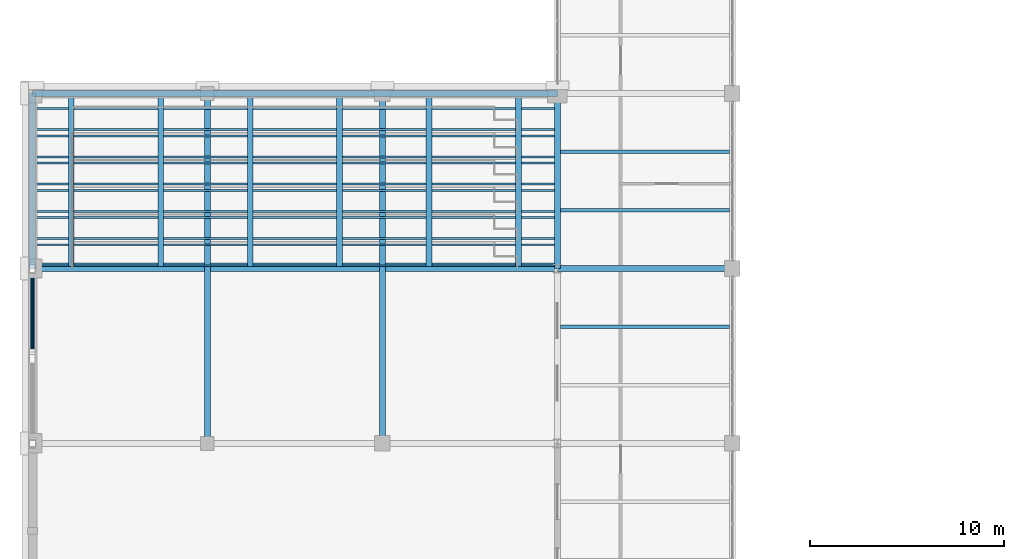
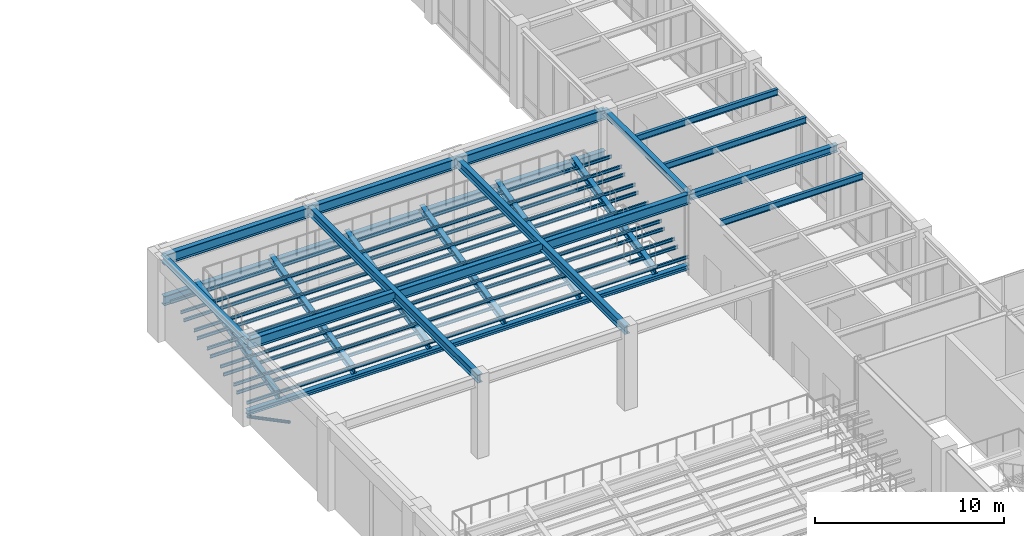
# One storey, part 21 of 77: 30 beams, 1 member.
"""IFC4 building model written with IfcOpenShell, lengths in metres."""

from ifc_helpers import new_model, si_unit, direction, frame, origin, origin_2d, place, context, subcontext, project, spatial, hollow_circle, i_section, extrude, material, material_profile, profile_set, type_object, element, save


model = new_model("IFC4")

# Units and contexts
model_context = context("Model", 3, precision=1e-05, world=origin(), true_north=direction((0.0, 1.0)))
body_context = subcontext(model_context, "Body", "Model", "MODEL_VIEW")
ifc_project = project(units=[si_unit("LENGTHUNIT", "METRE"), si_unit("AREAUNIT", "SQUARE_METRE"), si_unit("VOLUMEUNIT", "CUBIC_METRE"), si_unit("PLANEANGLEUNIT", "RADIAN"), si_unit("MASSUNIT", "GRAM", prefix="KILO")], contexts=[model_context])

# Site, building, storey
site_placement = place(None, origin())
site = spatial("IfcSite", under=ifc_project, at=site_placement, CompositionType="ELEMENT")
building_placement = place(site_placement, origin())
building = spatial("IfcBuilding", under=site, at=building_placement, Name="Lykobir Media Centre", CompositionType="ELEMENT")
storey_placement = place(building_placement, origin())
storey = spatial("IfcBuildingStorey", under=building, at=storey_placement, Name="L00", CompositionType="ELEMENT", Elevation=0.0)

# Beams
ifc_material = material(Name="Steel S355", Category="steel")
ifc_material_profile_1 = material_profile(ifc_material, i_section(OverallWidth=0.300048828125, OverallDepth=0.2900390625, WebThickness=0.008544921875, FlangeThickness=0.013916015625, at=origin_2d()), Name="HEA 300")
ifc_profile_set_1 = profile_set([ifc_material_profile_1], Name="Steel S355")
beam_type_1 = type_object("IfcBeamType", Name="BM-HEA300", PredefinedType="BEAM", material=ifc_profile_set_1)
beam_1_placement = place(storey_placement, frame((0.0, 36.139892578125, 0.326904296875), z_axis=(1.0, 0.0, 0.0), x_axis=(0.0, 1.0, 0.0)))
element("IfcBeam", 1, at=beam_1_placement, inside=storey, type_object=beam_type_1, Name="Beam BM-L00-0000-0361-0270-0361-33", PredefinedType="BEAM", context=body_context, shape_type="SweptSolid", body=[
    extrude(i_section(OverallWidth=0.300048828125, OverallDepth=0.2900390625, WebThickness=0.008544921875, FlangeThickness=0.013916015625, at=origin_2d()), origin(), (0.0, 0.0, 1.0), 27.0),
])
ifc_material_profile_2 = material_profile(ifc_material, i_section(OverallWidth=0.300048828125, OverallDepth=0.43994140625, WebThickness=0.011474609375, FlangeThickness=0.02099609375, at=origin_2d()), Name="HEA 450")
ifc_profile_set_2 = profile_set([ifc_material_profile_2], Name="Steel S355")
beam_type_2 = type_object("IfcBeamType", Name="BM-HEA450", PredefinedType="BEAM", material=ifc_profile_set_2)
beam_2_placement = place(storey_placement, frame((27.0, 36.0, 4.93994140625), z_axis=(1.0, 0.0, 0.0), x_axis=(0.0, 1.0, 0.0)))
element("IfcBeam", 2, at=beam_2_placement, inside=storey, type_object=beam_type_2, Name="Beam BM-L00-0270-0360-0360-0360-494", PredefinedType="BEAM", context=body_context, shape_type="SweptSolid", body=[
    extrude(i_section(OverallWidth=0.300048828125, OverallDepth=0.43994140625, WebThickness=0.011474609375, FlangeThickness=0.02099609375, at=origin_2d()), origin(), (0.0, 0.0, 1.0), 9.0),
])
ifc_material_profile_3 = material_profile(ifc_material, i_section(OverallWidth=0.300048828125, OverallDepth=0.550048828125, WebThickness=0.014892578125, FlangeThickness=0.029052734375, at=origin_2d()), Name="HEB 550")
ifc_profile_set_3 = profile_set([ifc_material_profile_3], Name="Steel S355")
beam_type_3 = type_object("IfcBeamType", Name="BM-HEB550", PredefinedType="BEAM", material=ifc_profile_set_3)
for number, where, z_axis, x_axis, name in (
    (3, (9.0, 27.0, 4.885009765625), (0.0, 1.0, 0.0), (-1.0, 0.0, 0.0), "Beam BM-L00-0090-0270-0090-0450-488"),
    (4, (18.0, 27.0, 4.885009765625), (0.0, 1.0, 0.0), (-1.0, 0.0, 0.0), "Beam BM-L00-0180-0270-0180-0450-488"),
):
    element("IfcBeam", number, at=place(storey_placement, frame(where, z_axis=z_axis, x_axis=x_axis)), inside=storey, type_object=beam_type_3, Name=name, PredefinedType="BEAM", context=body_context, shape_type="SweptSolid", body=[
        extrude(i_section(OverallWidth=0.300048828125, OverallDepth=0.550048828125, WebThickness=0.014892578125, FlangeThickness=0.029052734375, at=origin_2d()), origin(), (0.0, 0.0, 1.0), 18.0),
    ])
ifc_material_profile_4 = material_profile(ifc_material, i_section(OverallWidth=0.300048828125, OverallDepth=0.60009765625, WebThickness=0.015380859375, FlangeThickness=0.030029296875, at=origin_2d()), Name="HEB 600")
ifc_profile_set_4 = profile_set([ifc_material_profile_4], Name="Steel S355")
beam_type_4 = type_object("IfcBeamType", Name="BM-HEB600", PredefinedType="BEAM", material=ifc_profile_set_4)
beam_3_placement = place(storey_placement, frame((0.0, 45.0, 2.197021484375), z_axis=(1.0, 0.0, 0.0), x_axis=(0.0, 1.0, 0.0)))
element("IfcBeam", 5, at=beam_3_placement, inside=storey, type_object=beam_type_4, Name="Beam BM-L00-0000-0450-0270-0450-220", PredefinedType="BEAM", context=body_context, shape_type="SweptSolid", body=[
    extrude(i_section(OverallWidth=0.300048828125, OverallDepth=0.60009765625, WebThickness=0.015380859375, FlangeThickness=0.030029296875, at=origin_2d()), origin(), (0.0, 0.0, 1.0), 27.0),
])
ifc_material_profile_5 = material_profile(ifc_material, i_section(OverallWidth=0.300048828125, OverallDepth=0.64990234375, WebThickness=0.01611328125, FlangeThickness=0.031005859375, at=origin_2d()), Name="HEB 650")
ifc_profile_set_5 = profile_set([ifc_material_profile_5], Name="Steel S355")
beam_type_5 = type_object("IfcBeamType", Name="BM-HEB650", PredefinedType="BEAM", material=ifc_profile_set_5)
beam_4_placement = place(storey_placement, frame((0.0, 36.0, 4.8349609375), z_axis=(1.0, 0.0, 0.0), x_axis=(0.0, 1.0, 0.0)))
element("IfcBeam", 6, at=beam_4_placement, inside=storey, type_object=beam_type_5, Name="Beam BM-L00-0000-0360-0270-0360-484", PredefinedType="BEAM", context=body_context, shape_type="SweptSolid", body=[
    extrude(i_section(OverallWidth=0.300048828125, OverallDepth=0.64990234375, WebThickness=0.01611328125, FlangeThickness=0.031005859375, at=origin_2d()), origin(), (0.0, 0.0, 1.0), 27.0),
])
ifc_material_profile_6 = material_profile(ifc_material, i_section(OverallWidth=0.300048828125, OverallDepth=0.64990234375, WebThickness=0.01611328125, FlangeThickness=0.031005859375, at=origin_2d()), Name="HEB 650")
ifc_profile_set_6 = profile_set([ifc_material_profile_6], Name="Steel S355")
beam_type_6 = type_object("IfcBeamType", Name="BM-HEB650-E", PredefinedType="BEAM", material=ifc_profile_set_6)
beam_5_placement = place(storey_placement, frame((0.0, 45.0, 4.8349609375), z_axis=(1.0, 0.0, 0.0), x_axis=(0.0, 1.0, 0.0)))
element("IfcBeam", 7, at=beam_5_placement, inside=storey, type_object=beam_type_6, Name="Beam BM-L00-0000-0450-0270-0450-484", PredefinedType="BEAM", context=body_context, shape_type="SweptSolid", body=[
    extrude(i_section(OverallWidth=0.300048828125, OverallDepth=0.64990234375, WebThickness=0.01611328125, FlangeThickness=0.031005859375, at=origin_2d()), origin(), (0.0, 0.0, 1.0), 27.0),
])

# Member
ifc_material_profile_7 = material_profile(ifc_material, hollow_circle(Radius=0.096923828125, WallThickness=0.010009765625, at=origin_2d()), Name="CHS 193.7x10.0")
ifc_profile_set_7 = profile_set([ifc_material_profile_7], Name="Steel S355")
member_type = type_object("IfcMemberType", Name="BR-CHS194-E", PredefinedType="BRACE", material=ifc_profile_set_7)
member_placement = place(storey_placement, frame((0.0, 36.0, 0.1201171875), z_axis=(0.0, -0.885608106873, 0.464433290194), x_axis=(1.0, 0.0, 0.0)))
element("IfcMember", 8, at=member_placement, inside=storey, type_object=member_type, Name="Diagonal brace MEM2-L00-0000-0360-0001-0000-0316-0528", PredefinedType="BRACE", context=body_context, shape_type="SweptSolid", body=[
    extrude(hollow_circle(Radius=0.096923828125, WallThickness=0.010009765625, at=origin_2d()), origin(), (0.0, 0.0, 1.0), 4.92138671875),
])

# Beams
ifc_material_profile_8 = material_profile(ifc_material, i_section(OverallWidth=0.179931640625, OverallDepth=0.39990234375, WebThickness=0.008544921875, FlangeThickness=0.013427734375, at=origin_2d()), Name="IPE 400")
ifc_profile_set_8 = profile_set([ifc_material_profile_8], Name="Steel S355")
beam_type_7 = type_object("IfcBeamType", Name="JS-IPE400", PredefinedType="JOIST", material=ifc_profile_set_8)
for number, where, z_axis, x_axis, name in (
    (9, (27.14990234375, 33.0, 4.9599609375), (1.0, 0.0, 0.0), (0.0, 1.0, 0.0), "Beam BM-L00-0272-0330-0358-0330-496"),
    (10, (27.14990234375, 39.0, 4.9599609375), (1.0, 0.0, 0.0), (0.0, 1.0, 0.0), "Beam BM-L00-0272-0390-0358-0390-496"),
    (11, (27.14990234375, 42.0, 4.9599609375), (1.0, 0.0, 0.0), (0.0, 1.0, 0.0), "Beam BM-L00-0272-0420-0358-0420-496"),
):
    element("IfcBeam", number, at=place(storey_placement, frame(where, z_axis=z_axis, x_axis=x_axis)), inside=storey, type_object=beam_type_7, Name=name, PredefinedType="JOIST", context=body_context, shape_type="SweptSolid", body=[
        extrude(i_section(OverallWidth=0.179931640625, OverallDepth=0.39990234375, WebThickness=0.008544921875, FlangeThickness=0.013427734375, at=origin_2d()), origin(), (0.0, 0.0, 1.0), 8.7001953125),
    ])
ifc_material_profile_9 = material_profile(ifc_material, i_section(OverallWidth=0.300048828125, OverallDepth=0.389892578125, WebThickness=0.010986328125, FlangeThickness=0.01904296875, at=origin_2d()), Name="HEA 400")
ifc_profile_set_9 = profile_set([ifc_material_profile_9], Name="Steel S355")
beam_type_8 = type_object("IfcBeamType", Name="RK-HEA400", PredefinedType="USERDEFINED", material=ifc_profile_set_9)
for number, where, z_axis, x_axis, name in (
    (12, (2.0, 36.139892578125, 0.662109375), (0.0, 0.97485900672, 0.222822613341), (-1.0, 0.0, 0.0), "Beam BM-L00-0020-0361-0020-0450-66"),
    (13, (6.60009765625, 36.139892578125, 0.662109375), (0.0, 0.97485900672, 0.222822613341), (-1.0, 0.0, 0.0), "Beam BM-L00-0066-0361-0066-0450-66"),
    (14, (11.199951171875, 36.139892578125, 0.662109375), (0.0, 0.97485900672, 0.222822613341), (-1.0, 0.0, 0.0), "Beam BM-L00-0112-0361-0112-0450-66"),
    (15, (15.800048828125, 36.139892578125, 0.662109375), (0.0, 0.97485900672, 0.222822613341), (-1.0, 0.0, 0.0), "Beam BM-L00-0158-0361-0158-0450-66"),
    (16, (20.39990234375, 36.139892578125, 0.662109375), (0.0, 0.97485900672, 0.222822613341), (-1.0, 0.0, 0.0), "Beam BM-L00-0204-0361-0204-0450-66"),
    (17, (25.0, 36.139892578125, 0.662109375), (0.0, 0.97485900672, 0.222822613341), (-1.0, 0.0, 0.0), "Beam BM-L00-0250-0361-0250-0450-66"),
):
    element("IfcBeam", number, at=place(storey_placement, frame(where, z_axis=z_axis, x_axis=x_axis)), inside=storey, type_object=beam_type_8, Name=name, ObjectType="RAKER", PredefinedType="USERDEFINED", context=body_context, shape_type="SweptSolid", body=[
        extrude(i_section(OverallWidth=0.300048828125, OverallDepth=0.389892578125, WebThickness=0.010986328125, FlangeThickness=0.01904296875, at=origin_2d()), origin(), (0.0, 0.0, 1.0), 9.088623046875),
    ])
ifc_material_profile_10 = material_profile(ifc_material, i_section(OverallWidth=0.300048828125, OverallDepth=0.35009765625, WebThickness=0.010009765625, FlangeThickness=0.017578125, at=origin_2d()), Name="HEA 360")
ifc_profile_set_10 = profile_set([ifc_material_profile_10], Name="Steel S355")
beam_type_9 = type_object("IfcBeamType", Name="SP-HEA360", PredefinedType="SPANDREL", material=ifc_profile_set_10)
beam_6_placement = place(storey_placement, frame((27.0, 36.0, 4.985107421875), z_axis=(0.0, 1.0, 0.0), x_axis=(-1.0, 0.0, 0.0)))
element("IfcBeam", 18, at=beam_6_placement, inside=storey, type_object=beam_type_9, Name="Beam BM-L00-0270-0360-0270-0450-499", PredefinedType="SPANDREL", context=body_context, shape_type="SweptSolid", body=[
    extrude(i_section(OverallWidth=0.300048828125, OverallDepth=0.35009765625, WebThickness=0.010009765625, FlangeThickness=0.017578125, at=origin_2d()), origin(), (0.0, 0.0, 1.0), 9.0),
])
ifc_material_profile_11 = material_profile(ifc_material, i_section(OverallWidth=0.300048828125, OverallDepth=0.35009765625, WebThickness=0.010009765625, FlangeThickness=0.017578125, at=origin_2d()), Name="HEA 360")
ifc_profile_set_11 = profile_set([ifc_material_profile_11], Name="Steel S355")
beam_type_10 = type_object("IfcBeamType", Name="SP-HEA360-E", PredefinedType="SPANDREL", material=ifc_profile_set_11)
beam_7_placement = place(storey_placement, frame((0.0, 36.0, 4.985107421875), z_axis=(0.0, 1.0, 0.0), x_axis=(-1.0, 0.0, 0.0)))
element("IfcBeam", 19, at=beam_7_placement, inside=storey, type_object=beam_type_10, Name="Beam BM-L00-0000-0360-0000-0450-499", PredefinedType="SPANDREL", context=body_context, shape_type="SweptSolid", body=[
    extrude(i_section(OverallWidth=0.300048828125, OverallDepth=0.35009765625, WebThickness=0.010009765625, FlangeThickness=0.017578125, at=origin_2d()), origin(), (0.0, 0.0, 1.0), 9.0),
])
ifc_material_profile_12 = material_profile(ifc_material, i_section(OverallWidth=0.10009765625, OverallDepth=0.199951171875, WebThickness=0.005615234375, FlangeThickness=0.008544921875, at=origin_2d()), Name="IPE 200")
ifc_profile_set_12 = profile_set([ifc_material_profile_12], Name="Steel S355")
beam_type_11 = type_object("IfcBeamType", Name="TP-IPE200", PredefinedType="JOIST", material=ifc_profile_set_12)
for number, where, z_axis, x_axis, name in (
    (20, (0.0, 36.139892578125, 0.919921875), (1.0, 0.0, 0.0), (0.0, 1.0, 0.0), "Beam BM-L00-0000-0361-0270-0361-92"),
    (21, (0.0, 37.219970703125, 0.919921875), (1.0, 0.0, 0.0), (0.0, 1.0, 0.0), "Beam BM-L00-0000-0372-0270-0372-92"),
    (22, (0.0, 37.5400390625, 1.239990234375), (1.0, 0.0, 0.0), (0.0, 1.0, 0.0), "Beam BM-L00-0000-0375-0270-0375-124"),
    (23, (0.0, 38.6201171875, 1.239990234375), (1.0, 0.0, 0.0), (0.0, 1.0, 0.0), "Beam BM-L00-0000-0386-0270-0386-124"),
    (24, (0.0, 38.93994140625, 1.56005859375), (1.0, 0.0, 0.0), (0.0, 1.0, 0.0), "Beam BM-L00-0000-0389-0270-0389-156"),
    (25, (0.0, 40.02001953125, 1.56005859375), (1.0, 0.0, 0.0), (0.0, 1.0, 0.0), "Beam BM-L00-0000-0400-0270-0400-156"),
    (26, (0.0, 40.340087890625, 1.8798828125), (1.0, 0.0, 0.0), (0.0, 1.0, 0.0), "Beam BM-L00-0000-0403-0270-0403-188"),
    (27, (0.0, 41.419921875, 1.8798828125), (1.0, 0.0, 0.0), (0.0, 1.0, 0.0), "Beam BM-L00-0000-0414-0270-0414-188"),
    (28, (0.0, 41.739990234375, 2.199951171875), (1.0, 0.0, 0.0), (0.0, 1.0, 0.0), "Beam BM-L00-0000-0417-0270-0417-220"),
    (29, (0.0, 42.820068359375, 2.199951171875), (1.0, 0.0, 0.0), (0.0, 1.0, 0.0), "Beam BM-L00-0000-0428-0270-0428-220"),
    (30, (0.0, 43.139892578125, 2.52001953125), (1.0, 0.0, 0.0), (0.0, 1.0, 0.0), "Beam BM-L00-0000-0431-0270-0431-252"),
    (31, (0.0, 44.219970703125, 2.52001953125), (1.0, 0.0, 0.0), (0.0, 1.0, 0.0), "Beam BM-L00-0000-0442-0270-0442-252"),
):
    element("IfcBeam", number, at=place(storey_placement, frame(where, z_axis=z_axis, x_axis=x_axis)), inside=storey, type_object=beam_type_11, Name=name, PredefinedType="JOIST", context=body_context, shape_type="SweptSolid", body=[
        extrude(i_section(OverallWidth=0.10009765625, OverallDepth=0.199951171875, WebThickness=0.005615234375, FlangeThickness=0.008544921875, at=origin_2d()), origin(), (0.0, 0.0, 1.0), 27.0),
    ])

save(model, "model.ifc")
